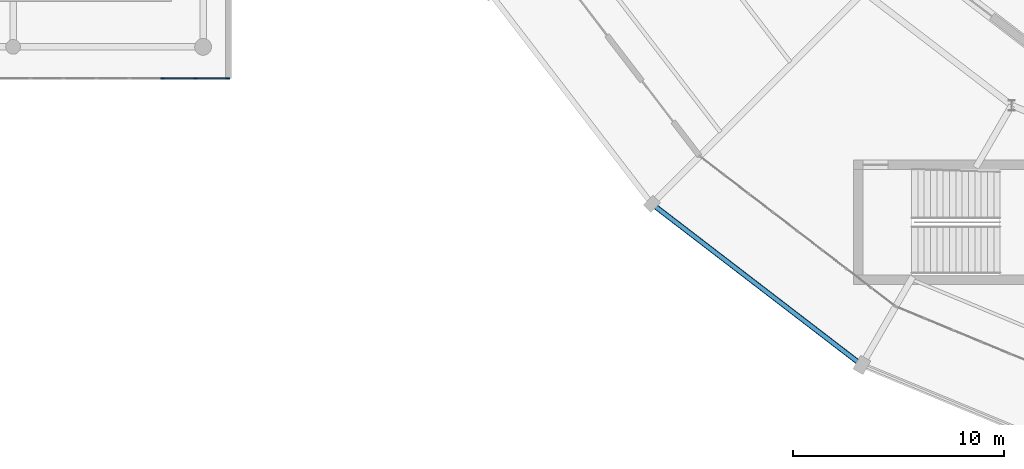
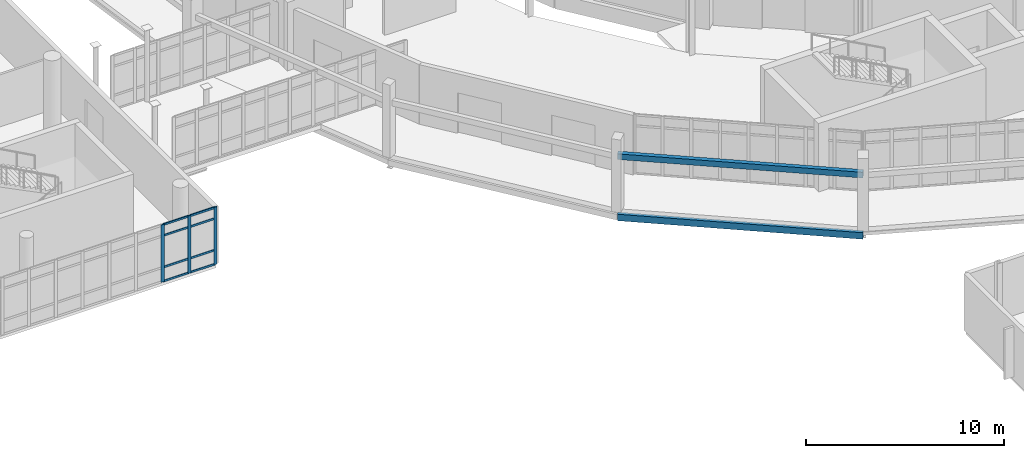
# One storey, part 30 of 122: 11 members, 2 beams, 1 element without a shape of its own.
"""IFC4 building model written with IfcOpenShell, lengths in metres."""

from ifc_helpers import new_model, si_unit, direction, frame, origin, origin_2d, place, context, subcontext, project, spatial, rectangle, hollow_rectangle, extrude, material, layer, layer_set, material_profile, profile_set, type_object, element, aggregate, save


model = new_model("IFC4")

# Units and contexts
model_context = context("Model", 3, precision=1e-05, world=origin(), true_north=direction((0.0, 1.0)))
body_context = subcontext(model_context, "Body", "Model", "MODEL_VIEW")
ifc_project = project(units=[si_unit("LENGTHUNIT", "METRE"), si_unit("AREAUNIT", "SQUARE_METRE"), si_unit("VOLUMEUNIT", "CUBIC_METRE"), si_unit("PLANEANGLEUNIT", "RADIAN"), si_unit("MASSUNIT", "GRAM", prefix="KILO")], contexts=[model_context])

# Site, building, storey
site_placement = place(None, origin())
site = spatial("IfcSite", under=ifc_project, at=site_placement, CompositionType="ELEMENT")
building_placement = place(site_placement, origin())
building = spatial("IfcBuilding", under=site, at=building_placement, Name="Sohan Crest Arena", CompositionType="ELEMENT")
storey_placement = place(building_placement, origin())
storey = spatial("IfcBuildingStorey", under=building, at=storey_placement, Name="L00", CompositionType="ELEMENT", Elevation=0.0)

# Curtain wall, members
ifc_material_1 = material(Name="Thermally broken anodised aluminium", Category="aluminium")
ifc_layer = layer(ifc_material_1, 0.199951171875, Name="Thermally broken anodised aluminium")
ifc_layer_set = layer_set([ifc_layer], Name="Thermally broken anodised aluminium")
curtain_wall_type = type_object("IfcCurtainWallType", Name="ARC-CW02", PredefinedType="NOTDEFINED", material=ifc_layer_set)
curtain_wall_placement = place(storey_placement, origin())
curtain_wall = element("IfcCurtainWall", 1, at=curtain_wall_placement, inside=storey, type_object=curtain_wall_type, Name="Unitised curtain wall CW-202", PredefinedType="NOTDEFINED")
ifc_material_profile_1 = material_profile(ifc_material_1, rectangle(XDim=0.06494140625, YDim=0.179931640625, at=origin_2d()), Name="ALU-MULL 65x180")
ifc_profile_set_1 = profile_set([ifc_material_profile_1], Name="Thermally broken anodised aluminium")
member_type_1 = type_object("IfcMemberType", Name="ARC-CW-ML02", PredefinedType="MULLION", material=ifc_profile_set_1)
member_1_placement = place(storey_placement, frame((40.875, 50.0, 0.0), z_axis=(0.0, 0.0, 1.0), x_axis=(0.0, 1.0, 0.0)))
member_1 = element("IfcMember", 2, at=member_1_placement, type_object=member_type_1, Name="CW-202 mullion 15", PredefinedType="MULLION", context=body_context, shape_type="SweptSolid", body=[
    extrude(rectangle(XDim=0.06494140625, YDim=0.179931640625, at=origin_2d()), origin(), (0.0, 0.0, 1.0), 3.550048828125),
])
member_2_placement = place(storey_placement, frame((42.4375, 50.0, 0.0), z_axis=(0.0, 0.0, 1.0), x_axis=(0.0, 1.0, 0.0)))
member_2 = element("IfcMember", 3, at=member_2_placement, type_object=member_type_1, Name="CW-202 mullion 16", PredefinedType="MULLION", context=body_context, shape_type="SweptSolid", body=[
    extrude(rectangle(XDim=0.06494140625, YDim=0.179931640625, at=origin_2d()), origin(), (0.0, 0.0, 1.0), 3.550048828125),
])
member_3_placement = place(storey_placement, frame((43.967529296875, 50.0, 0.0), z_axis=(0.0, 0.0, 1.0), x_axis=(0.0, 1.0, 0.0)))
member_3 = element("IfcMember", 4, at=member_3_placement, type_object=member_type_1, Name="CW-202 mullion 17", PredefinedType="MULLION", context=body_context, shape_type="SweptSolid", body=[
    extrude(rectangle(XDim=0.06494140625, YDim=0.179931640625, at=origin_2d()), origin(), (0.0, 0.0, 1.0), 3.550048828125),
])
ifc_material_profile_2 = material_profile(ifc_material_1, rectangle(XDim=0.06005859375, YDim=0.1201171875, at=origin_2d()), Name="ALU-TRAN 60x120")
ifc_profile_set_2 = profile_set([ifc_material_profile_2], Name="Thermally broken anodised aluminium")
member_type_2 = type_object("IfcMemberType", Name="ARC-CW-TR01", PredefinedType="USERDEFINED", material=ifc_profile_set_2)
member_4_placement = place(storey_placement, frame((40.907470703125, 50.0, 0.030029296875), z_axis=(1.0, 0.0, 0.0), x_axis=(0.0, 1.0, 0.0)))
member_4 = element("IfcMember", 5, at=member_4_placement, type_object=member_type_2, Name="CW-202 transom 15.1", ObjectType="TRANSOM", PredefinedType="USERDEFINED", context=body_context, shape_type="SweptSolid", body=[
    extrude(rectangle(XDim=0.06005859375, YDim=0.1201171875, at=origin_2d()), origin(), (0.0, 0.0, 1.0), 1.49755859375),
])
member_5_placement = place(storey_placement, frame((40.907470703125, 50.0, 0.89990234375), z_axis=(1.0, 0.0, 0.0), x_axis=(0.0, 1.0, 0.0)))
member_5 = element("IfcMember", 6, at=member_5_placement, type_object=member_type_2, Name="CW-202 transom 15.2", ObjectType="TRANSOM", PredefinedType="USERDEFINED", context=body_context, shape_type="SweptSolid", body=[
    extrude(rectangle(XDim=0.06005859375, YDim=0.1201171875, at=origin_2d()), origin(), (0.0, 0.0, 1.0), 1.49755859375),
])
member_6_placement = place(storey_placement, frame((40.907470703125, 50.0, 2.85009765625), z_axis=(1.0, 0.0, 0.0), x_axis=(0.0, 1.0, 0.0)))
member_6 = element("IfcMember", 7, at=member_6_placement, type_object=member_type_2, Name="CW-202 transom 15.3", ObjectType="TRANSOM", PredefinedType="USERDEFINED", context=body_context, shape_type="SweptSolid", body=[
    extrude(rectangle(XDim=0.06005859375, YDim=0.1201171875, at=origin_2d()), origin(), (0.0, 0.0, 1.0), 1.49755859375),
])
member_7_placement = place(storey_placement, frame((40.907470703125, 50.0, 3.52001953125), z_axis=(1.0, 0.0, 0.0), x_axis=(0.0, 1.0, 0.0)))
member_7 = element("IfcMember", 8, at=member_7_placement, type_object=member_type_2, Name="CW-202 transom 15.4", ObjectType="TRANSOM", PredefinedType="USERDEFINED", context=body_context, shape_type="SweptSolid", body=[
    extrude(rectangle(XDim=0.06005859375, YDim=0.1201171875, at=origin_2d()), origin(), (0.0, 0.0, 1.0), 1.49755859375),
])
member_8_placement = place(storey_placement, frame((42.469970703125, 50.0, 0.030029296875), z_axis=(1.0, 0.0, 0.0), x_axis=(0.0, 1.0, 0.0)))
member_8 = element("IfcMember", 9, at=member_8_placement, type_object=member_type_2, Name="CW-202 transom 16.1", ObjectType="TRANSOM", PredefinedType="USERDEFINED", context=body_context, shape_type="SweptSolid", body=[
    extrude(rectangle(XDim=0.06005859375, YDim=0.1201171875, at=origin_2d()), origin(), (0.0, 0.0, 1.0), 1.465087890625),
])
member_9_placement = place(storey_placement, frame((42.469970703125, 50.0, 0.89990234375), z_axis=(1.0, 0.0, 0.0), x_axis=(0.0, 1.0, 0.0)))
member_9 = element("IfcMember", 10, at=member_9_placement, type_object=member_type_2, Name="CW-202 transom 16.2", ObjectType="TRANSOM", PredefinedType="USERDEFINED", context=body_context, shape_type="SweptSolid", body=[
    extrude(rectangle(XDim=0.06005859375, YDim=0.1201171875, at=origin_2d()), origin(), (0.0, 0.0, 1.0), 1.465087890625),
])
member_10_placement = place(storey_placement, frame((42.469970703125, 50.0, 2.85009765625), z_axis=(1.0, 0.0, 0.0), x_axis=(0.0, 1.0, 0.0)))
member_10 = element("IfcMember", 11, at=member_10_placement, type_object=member_type_2, Name="CW-202 transom 16.3", ObjectType="TRANSOM", PredefinedType="USERDEFINED", context=body_context, shape_type="SweptSolid", body=[
    extrude(rectangle(XDim=0.06005859375, YDim=0.1201171875, at=origin_2d()), origin(), (0.0, 0.0, 1.0), 1.465087890625),
])
member_11_placement = place(storey_placement, frame((42.469970703125, 50.0, 3.52001953125), z_axis=(1.0, 0.0, 0.0), x_axis=(0.0, 1.0, 0.0)))
member_11 = element("IfcMember", 12, at=member_11_placement, type_object=member_type_2, Name="CW-202 transom 16.4", ObjectType="TRANSOM", PredefinedType="USERDEFINED", context=body_context, shape_type="SweptSolid", body=[
    extrude(rectangle(XDim=0.06005859375, YDim=0.1201171875, at=origin_2d()), origin(), (0.0, 0.0, 1.0), 1.465087890625),
])
aggregate(curtain_wall, [member_1, member_2, member_3, member_4, member_5, member_6, member_7, member_8, member_9, member_10, member_11])

# Beams
ifc_material_2 = material(Name="Steel S355", Category="steel")
ifc_material_profile_3 = material_profile(ifc_material_2, hollow_rectangle(XDim=0.25, YDim=0.35009765625, WallThickness=0.012451171875, at=origin_2d()), Name="RHS 350x250x12.5")
ifc_profile_set_3 = profile_set([ifc_material_profile_3], Name="Steel S355")
beam_type_1 = type_object("IfcBeamType", Name="STR-BM-SP04", PredefinedType="SPANDREL", material=ifc_profile_set_3)
beam_1_placement = place(storey_placement, frame((64.05908203125, 44.05908203125, 3.300048828125), z_axis=(0.793344121205, -0.608773443368, 0.0), x_axis=(0.608773443368, 0.793344121205, 0.0)))
element("IfcBeam", 13, at=beam_1_placement, inside=storey, type_object=beam_type_1, Name="Structural beam ARC-L00-0949", PredefinedType="SPANDREL", context=body_context, shape_type="SweptSolid", body=[
    extrude(hollow_rectangle(XDim=0.25, YDim=0.35009765625, WallThickness=0.012451171875, at=origin_2d()), origin(), (0.0, 0.0, 1.0), 12.530517578125),
])
ifc_material_profile_4 = material_profile(ifc_material_2, hollow_rectangle(XDim=0.199951171875, YDim=0.39990234375, WallThickness=0.012451171875, at=origin_2d()), Name="RHS 400x200x12.5")
ifc_profile_set_4 = profile_set([ifc_material_profile_4], Name="Steel S355")
beam_type_2 = type_object("IfcBeamType", Name="STR-BM-SP05", PredefinedType="SPANDREL", material=ifc_profile_set_4)
beam_2_placement = place(storey_placement, frame((64.05908203125, 44.05908203125, -0.47509765625), z_axis=(0.793344121205, -0.608773443368, 0.0), x_axis=(0.608773443368, 0.793344121205, 0.0)))
element("IfcBeam", 14, at=beam_2_placement, inside=storey, type_object=beam_type_2, Name="Structural beam SP-L00-0948", PredefinedType="SPANDREL", context=body_context, shape_type="SweptSolid", body=[
    extrude(hollow_rectangle(XDim=0.199951171875, YDim=0.39990234375, WallThickness=0.012451171875, at=origin_2d()), origin(), (0.0, 0.0, 1.0), 12.530517578125),
])

save(model, "model.ifc")
